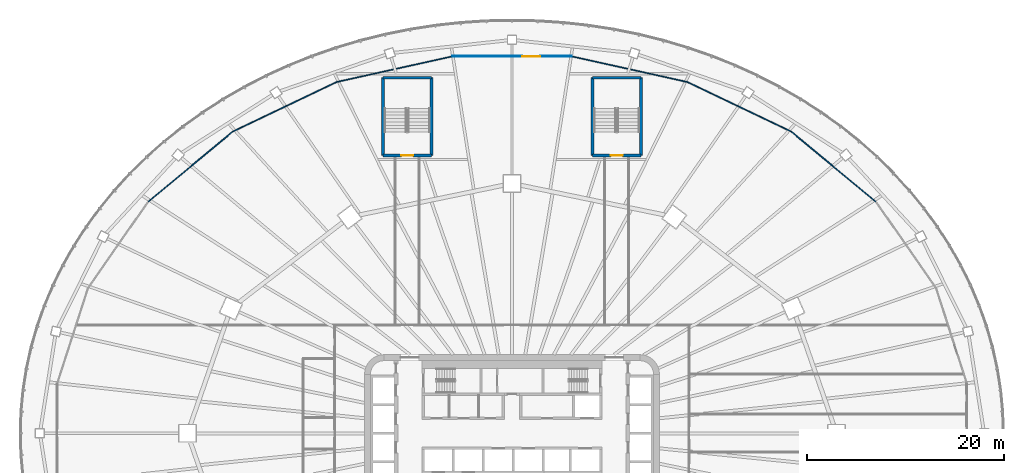
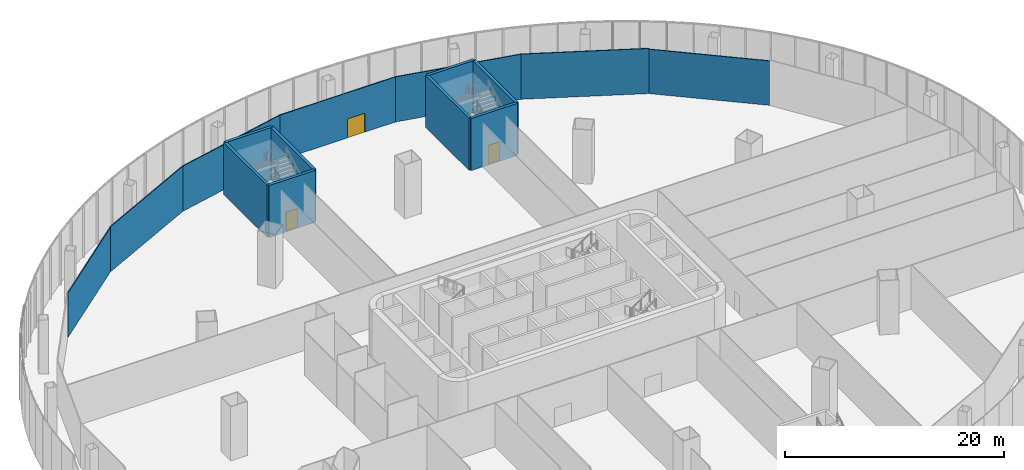
# One storey, part 26 of 37: 15 walls, 3 doors, 3 openings.
"""IFC4 building model written with IfcOpenShell, lengths in metres."""

import ifcopenshell
import ifcopenshell.guid

model = None  # the IFC model being written
_history = None  # IfcOwnerHistory: only IFC2X3 demands one
_inside = {}  # id of a spatial element -> (the spatial element, [elements in it])
_under = {}  # id of a project, library or spatial element -> (it, [spatial elements below it])
_declared = {}  # id of a project -> (the project, [libraries it declares])
_typed = {}  # id of a type object -> (the type object, [elements of that type])
_made_of = {}  # id of a material, layer set ... -> (it, [elements and type objects made of it])


def new_model(schema):
    """Start an empty IFC model of exactly this schema.

    Asked for "IFC4X3", IfcOpenShell would pick the latest addendum, in which some entities
    have other attributes; the version numbers below select the first issue.
    IFC2X3 requires an IfcOwnerHistory on every rooted entity: one is made here for all.
    """
    global model, _history
    if schema == "IFC4X3":
        model = ifcopenshell.file(schema_version=(4, 3, 0, 0))
    else:
        model = ifcopenshell.file(schema=schema)
    _inside.clear()
    _under.clear()
    _declared.clear()
    _typed.clear()
    _made_of.clear()
    _history = None
    if model.schema == "IFC2X3":
        org = make("IfcOrganization", Name="unknown")
        user = make(
            "IfcPersonAndOrganization",
            ThePerson=make("IfcPerson", FamilyName="unknown"),
            TheOrganization=org,
        )
        app = make(
            "IfcApplication",
            ApplicationDeveloper=org,
            Version="unknown",
            ApplicationFullName="unknown",
            ApplicationIdentifier="unknown",
        )
        _history = make(
            "IfcOwnerHistory",
            OwningUser=user,
            OwningApplication=app,
            ChangeAction="ADDED",
            CreationDate=0,
        )
    return model


def make(cls, **values):
    """One entity of the class cls with the attributes given. An attribute that is None is left unset."""
    return model.create_entity(
        cls, **{name: value for name, value in values.items() if value is not None}
    )


def rooted(cls, **values):
    """An entity with a GlobalId (a new one), such as an element, a storey or a relation."""
    return make(cls, GlobalId=ifcopenshell.guid.new(), OwnerHistory=_history, **values)


def si_unit(unit_type, name, prefix=None):
    """IfcSIUnit, for example si_unit("LENGTHUNIT", "METRE", prefix="MILLI")."""
    return make("IfcSIUnit", UnitType=unit_type, Prefix=prefix, Name=name)


def assignment(units):
    """IfcUnitAssignment: the units of a project."""
    return None if units is None else make("IfcUnitAssignment", Units=units)


def point(xyz):
    """IfcCartesianPoint."""
    return None if xyz is None else make("IfcCartesianPoint", Coordinates=xyz)


def direction(xyz):
    """IfcDirection."""
    return None if xyz is None else make("IfcDirection", DirectionRatios=xyz)


def frame(location, z_axis=None, x_axis=None):
    """IfcAxis2Placement3D, a coordinate frame: its origin and axes. An axis left out is left unset."""
    return make(
        "IfcAxis2Placement3D",
        Location=point(location),
        Axis=direction(z_axis),
        RefDirection=direction(x_axis),
    )


def frame_2d(location, x_axis=None):
    """IfcAxis2Placement2D, a coordinate frame in the plane: its origin and x axis."""
    return make(
        "IfcAxis2Placement2D", Location=point(location), RefDirection=direction(x_axis)
    )


def origin():
    """The frame at (0, 0, 0) with its axes left unset."""
    return frame((0.0, 0.0, 0.0))


def place(relative_to, where):
    """IfcLocalPlacement: puts the frame where relative to a parent placement (None: the world)."""
    return make(
        "IfcLocalPlacement", PlacementRelTo=relative_to, RelativePlacement=where
    )


def context(
    kind, dimensions, precision=None, world=None, true_north=None, identifier=None
):
    """IfcGeometricRepresentationContext, for example the 3D "Model" context."""
    return make(
        "IfcGeometricRepresentationContext",
        ContextIdentifier=identifier,
        ContextType=kind,
        CoordinateSpaceDimension=dimensions,
        Precision=precision,
        WorldCoordinateSystem=world,
        TrueNorth=true_north,
    )


def subcontext(parent, identifier, kind, view, scale=None):
    """IfcGeometricRepresentationSubContext, for example "Body" below "Model"."""
    return make(
        "IfcGeometricRepresentationSubContext",
        ContextIdentifier=identifier,
        ContextType=kind,
        ParentContext=parent,
        TargetScale=scale,
        TargetView=view,
    )


def project(units=None, contexts=None):
    """IfcProject with its units and contexts."""
    return rooted(
        "IfcProject",
        Name="project",
        RepresentationContexts=contexts,
        UnitsInContext=assignment(units),
    )


def spatial(cls, under=None, at=None, **own):
    """A site, building, storey or space (cls), placed at a placement, below another one or the project."""
    s = rooted(cls, ObjectPlacement=at, **own)
    if under is not None:
        _under.setdefault(under.id(), (under, []))[1].append(s)
    return s


def profile(cls, at=None, kind="AREA", **sizes):
    """A parametric profile (cls). Its sizes go by their IFC names, for example OverallWidth=200.0."""
    return make(cls, ProfileType=kind, Position=at, **sizes)


def rectangle(**sizes):
    """IfcRectangleProfileDef."""
    return profile("IfcRectangleProfileDef", **sizes)


def extrude(swept, where, along, depth):
    """IfcExtrudedAreaSolid: the profile swept, set in the frame where, extruded along a direction by depth."""
    return make(
        "IfcExtrudedAreaSolid",
        SweptArea=swept,
        Position=where,
        ExtrudedDirection=direction(along),
        Depth=depth,
    )


def shape(context_of_items, identifier, shape_type, items):
    """IfcShapeRepresentation: the items that make up one representation, for example the "Body"."""
    return make(
        "IfcShapeRepresentation",
        ContextOfItems=context_of_items,
        RepresentationIdentifier=identifier,
        RepresentationType=shape_type,
        Items=items,
    )


def material(Name=None, Category=None):
    """IfcMaterial."""
    return make("IfcMaterial", Name=Name, Category=Category)


def layer(
    of_material, thickness, ventilated=None, Name=None, Category=None, Priority=None
):
    """IfcMaterialLayer: one layer of a wall or slab, of a material (None: an air gap)."""
    return make(
        "IfcMaterialLayer",
        Material=of_material,
        LayerThickness=thickness,
        IsVentilated=ventilated,
        Name=Name,
        Category=Category,
        Priority=Priority,
    )


def layer_set(layers, Name=None):
    """IfcMaterialLayerSet."""
    return make("IfcMaterialLayerSet", MaterialLayers=layers, LayerSetName=Name)


def made_of(thing, what):
    """Note that an element or type object is made of a material, layer set ...; save() writes the relation."""
    if what is not None:
        _made_of.setdefault(what.id(), (what, []))[1].append(thing)
    return thing


def type_object(cls, material=None, **own):
    """A type object (cls), such as IfcWallType, which elements share."""
    return made_of(rooted(cls, **own), material)


def element(
    cls,
    number,
    at=None,
    inside=None,
    cuts=None,
    type_object=None,
    material=None,
    context=None,
    identifier="Body",
    shape_type=None,
    held_by="IfcProductDefinitionShape",
    body=None,
    shapes=None,
    **own,
):
    """One element of the class cls, such as IfcWall. Its Tag is "e" and its number.

    at: its placement. inside: the storey or other place that contains it. cuts: it is an
    opening in that element (IfcRelVoidsElement). A single representation is given by context,
    identifier, shape_type and body (its items); several are given by shapes. held_by: the class
    of the entity that holds the representations. save() writes the other relations.
    """
    e = rooted(cls, Tag="e%d" % number, ObjectPlacement=at, **own)
    if body is not None:
        shapes = [shape(context, identifier, shape_type, body)]
    if shapes is not None:
        e.Representation = make(held_by, Representations=shapes)
    if inside is not None:
        _inside.setdefault(inside.id(), (inside, []))[1].append(e)
    if cuts is not None:
        rooted(
            "IfcRelVoidsElement", RelatingBuildingElement=cuts, RelatedOpeningElement=e
        )
    if type_object is not None:
        _typed.setdefault(type_object.id(), (type_object, []))[1].append(e)
    return made_of(e, material)


def fill(opening, filler):
    """IfcRelFillsElement: the door or window that sits in an opening."""
    return rooted(
        "IfcRelFillsElement",
        RelatingOpeningElement=opening,
        RelatedBuildingElement=filler,
    )


def aggregate(whole, parts):
    """IfcRelAggregates: a whole, such as a stair, and the parts it consists of."""
    return rooted("IfcRelAggregates", RelatingObject=whole, RelatedObjects=parts)


def save(model, path):
    """Write the relations noted so far, then the file.

    IfcRelAggregates (storeys below a building ...), IfcRelContainedInSpatialStructure (elements
    in a storey), IfcRelDefinesByType, IfcRelAssociatesMaterial and IfcRelDeclares: one each for
    every whole, place, type object, material and project.
    """
    for whole, parts in _under.values():
        aggregate(whole, parts)
    for where, things in _inside.values():
        rooted(
            "IfcRelContainedInSpatialStructure",
            RelatedElements=things,
            RelatingStructure=where,
        )
    for kind, things in _typed.values():
        rooted("IfcRelDefinesByType", RelatedObjects=things, RelatingType=kind)
    for what, things in _made_of.values():
        rooted("IfcRelAssociatesMaterial", RelatedObjects=things, RelatingMaterial=what)
    for by, libraries in _declared.values():
        rooted("IfcRelDeclares", RelatingContext=by, RelatedDefinitions=libraries)
    model.write(path)


model = new_model("IFC4")

# Units and contexts
model_context = context("Model", 3, precision=1e-05, world=origin(), true_north=direction((0.0, 1.0)))
body_context = subcontext(model_context, "Body", "Model", "MODEL_VIEW")
ifc_project = project(units=[si_unit("LENGTHUNIT", "METRE"), si_unit("AREAUNIT", "SQUARE_METRE"), si_unit("VOLUMEUNIT", "CUBIC_METRE"), si_unit("PLANEANGLEUNIT", "RADIAN"), si_unit("MASSUNIT", "GRAM", prefix="KILO")], contexts=[model_context])

# Site, building, storey
site_placement = place(None, origin())
site = spatial("IfcSite", under=ifc_project, at=site_placement, CompositionType="ELEMENT")
building_placement = place(site_placement, origin())
building = spatial("IfcBuilding", under=site, at=building_placement, Name="Sahrelin Media Tower", CompositionType="ELEMENT")
storey_placement = place(building_placement, frame((0.0, 0.0, 31.39990234375)))
storey = spatial("IfcBuildingStorey", under=building, at=storey_placement, Name="L04", CompositionType="ELEMENT", Elevation=31.39990234375)

# Walls
ifc_material_1 = material(Name="Gypsum board partition")
ifc_layer_1 = layer(ifc_material_1, 0.10009765625)
ifc_layer_set_1 = layer_set([ifc_layer_1], Name="Partition 100")
wall_type_1 = type_object("IfcWallType", Name="Partition 100", PredefinedType="PARTITIONING", material=ifc_layer_set_1)
wall_1_placement = place(storey_placement, frame((37.010009765625, 23.528564453125, 0.0), z_axis=(0.0, 0.0, 1.0), x_axis=(-0.770046995363, 0.637987166746, 0.0)))
element("IfcWall", 1, at=wall_1_placement, inside=storey, type_object=wall_type_1, Name="Wall", PredefinedType="PARTITIONING", context=body_context, shape_type="SweptSolid", body=[
    extrude(rectangle(XDim=11.182861328125, YDim=0.10009765625, at=frame_2d((5.59130859375, 0.0))), origin(), (0.0, 0.0, 1.0), 4.945068359375),
])
wall_2_placement = place(storey_placement, frame((28.398681640625, 30.6630859375, 0.0), z_axis=(0.0, 0.0, 1.0), x_axis=(-0.902100999032, 0.431524955878, 0.0)))
element("IfcWall", 2, at=wall_2_placement, inside=storey, type_object=wall_type_1, Name="Wall", PredefinedType="PARTITIONING", context=body_context, shape_type="SweptSolid", body=[
    extrude(rectangle(XDim=11.69091796875, YDim=0.10009765625, at=frame_2d((5.845458984375, 0.0))), origin(), (0.0, 0.0, 1.0), 5.026123046875),
])
wall_3_placement = place(storey_placement, frame((17.852294921875, 35.7080078125, 0.0), z_axis=(0.0, 0.0, 1.0), x_axis=(-0.97623471049, 0.216715920124, 0.0)))
element("IfcWall", 3, at=wall_3_placement, inside=storey, type_object=wall_type_1, Name="Wall", PredefinedType="PARTITIONING", context=body_context, shape_type="SweptSolid", body=[
    extrude(rectangle(XDim=12.049560546875, YDim=0.10009765625, at=frame_2d((6.02490234375, 0.0))), origin(), (0.0, 0.0, 1.0), 5.026123046875),
])

# Wall, opening, door
wall_4_placement = place(storey_placement, frame((6.089111328125, 38.3193359375, 0.0), z_axis=(0.0, 0.0, 1.0), x_axis=(-1.0, 0.0, 0.0)))
wall_4 = element("IfcWall", 4, at=wall_4_placement, inside=storey, type_object=wall_type_1, Name="Wall", PredefinedType="PARTITIONING", context=body_context, shape_type="SweptSolid", body=[
    extrude(rectangle(XDim=12.17822265625, YDim=0.10009765625, at=frame_2d((6.089111328125, 0.0))), origin(), (0.0, 0.0, 1.0), 5.026123046875),
])
opening_1_placement = place(wall_4_placement, frame((3.23291015625, 0.0, 0.0)))
opening_1 = element("IfcOpeningElement", 5, at=opening_1_placement, cuts=wall_4, Name="Opening L04-D27", PredefinedType="OPENING", context=body_context, shape_type="SweptSolid", body=[
    extrude(rectangle(XDim=1.800048828125, YDim=2.10009765625, at=frame_2d((0.89990234375, 1.050048828125))), frame((0.0, 0.050048828125, 0.0), z_axis=(0.0, -1.0, 0.0), x_axis=(1.0, 0.0, 0.0)), (0.0, 0.0, 1.0), 0.10009765625),
])
ifc_material_2 = material(Name="Timber door leaf", Category="wood")
door_type_1 = type_object("IfcDoorType", Name="Double door 1800 x 2100", OperationType="DOUBLE_DOOR_SINGLE_SWING", PredefinedType="DOOR", material=ifc_material_2)
door_1_placement = place(opening_1_placement, origin())
door_1 = element("IfcDoor", 6, at=door_1_placement, inside=storey, type_object=door_type_1, Name="Double door", OperationType="DOUBLE_DOOR_SINGLE_SWING", OverallHeight=2.10009765625, OverallWidth=1.800048828125, PredefinedType="DOOR", context=body_context, shape_type="SweptSolid", body=[
    extrude(rectangle(XDim=1.800048828125, YDim=2.10009765625, at=frame_2d((0.89990234375, 1.050048828125))), frame((0.0, 0.02490234375, 0.0), z_axis=(0.0, -1.0, 0.0), x_axis=(1.0, 0.0, 0.0)), (0.0, 0.0, 1.0), 0.050048828125),
])
fill(opening_1, door_1)

# Walls
wall_5_placement = place(storey_placement, frame((-6.089111328125, 38.3193359375, 0.0), z_axis=(0.0, 0.0, 1.0), x_axis=(-0.97623471049, -0.216715920124, 0.0)))
element("IfcWall", 7, at=wall_5_placement, inside=storey, type_object=wall_type_1, Name="Wall", PredefinedType="PARTITIONING", context=body_context, shape_type="SweptSolid", body=[
    extrude(rectangle(XDim=12.049560546875, YDim=0.10009765625, at=frame_2d((6.02490234375, 0.0))), origin(), (0.0, 0.0, 1.0), 5.026123046875),
])
wall_6_placement = place(storey_placement, frame((-17.852294921875, 35.7080078125, 0.0), z_axis=(0.0, 0.0, 1.0), x_axis=(-0.902100999032, -0.431524955878, 0.0)))
element("IfcWall", 8, at=wall_6_placement, inside=storey, type_object=wall_type_1, Name="Wall", PredefinedType="PARTITIONING", context=body_context, shape_type="SweptSolid", body=[
    extrude(rectangle(XDim=11.69091796875, YDim=0.10009765625, at=frame_2d((5.845458984375, 0.0))), origin(), (0.0, 0.0, 1.0), 5.026123046875),
])
wall_7_placement = place(storey_placement, frame((-28.398681640625, 30.6630859375, 0.0), z_axis=(0.0, 0.0, 1.0), x_axis=(-0.770046995363, -0.637987166746, 0.0)))
element("IfcWall", 9, at=wall_7_placement, inside=storey, type_object=wall_type_1, Name="Wall", PredefinedType="PARTITIONING", context=body_context, shape_type="SweptSolid", body=[
    extrude(rectangle(XDim=11.182861328125, YDim=0.10009765625, at=frame_2d((5.59130859375, 0.0))), origin(), (0.0, 0.0, 1.0), 4.945068359375),
])

# Wall, opening, door
ifc_material_3 = material(Name="Concrete C60/75", Category="concrete")
ifc_layer_2 = layer(ifc_material_3, 0.300048828125)
ifc_layer_set_2 = layer_set([ifc_layer_2], Name="Stair enclosure wall 300")
wall_type_2 = type_object("IfcWallType", Name="Stair enclosure wall 300", PredefinedType="SOLIDWALL", material=ifc_layer_set_2)
wall_8_placement = place(storey_placement, frame((13.10009765625, 28.25, 0.0), z_axis=(0.0, 0.0, 1.0), x_axis=(-1.0, 0.0, 0.0)))
wall_8 = element("IfcWall", 10, at=wall_8_placement, inside=storey, type_object=wall_type_2, Name="Stair PS1", PredefinedType="SOLIDWALL", context=body_context, shape_type="SweptSolid", body=[
    extrude(rectangle(XDim=4.900146484375, YDim=0.300048828125, at=frame_2d((2.4501953125, 0.0))), origin(), (0.0, 0.0, 1.0), 5.800048828125),
])
opening_2_placement = place(wall_8_placement, frame((1.85009765625, 0.0, 0.0)))
opening_2 = element("IfcOpeningElement", 11, at=opening_2_placement, cuts=wall_8, Name="Opening L04-D49", PredefinedType="OPENING", context=body_context, shape_type="SweptSolid", body=[
    extrude(rectangle(XDim=1.199951171875, YDim=2.10009765625, at=frame_2d((0.60009765625, 1.050048828125))), frame((0.0, 0.14990234375, 0.0), z_axis=(0.0, -1.0, 0.0), x_axis=(1.0, 0.0, 0.0)), (0.0, 0.0, 1.0), 0.300048828125),
])
ifc_material_4 = material(Name="Steel fire door leaf", Category="steel")
door_type_2 = type_object("IfcDoorType", Name="Stair door 1200 x 2100 EI 120", OperationType="NOTDEFINED", PredefinedType="DOOR", material=ifc_material_4)
door_2_placement = place(opening_2_placement, origin())
door_2 = element("IfcDoor", 12, at=door_2_placement, inside=storey, type_object=door_type_2, Name="Stair door", OperationType="SINGLE_SWING_RIGHT", OverallHeight=2.10009765625, OverallWidth=1.199951171875, PredefinedType="DOOR", context=body_context, shape_type="SweptSolid", body=[
    extrude(rectangle(XDim=1.199951171875, YDim=2.10009765625, at=frame_2d((0.60009765625, 1.050048828125))), frame((0.0, 0.02490234375, 0.0), z_axis=(0.0, -1.0, 0.0), x_axis=(1.0, 0.0, 0.0)), (0.0, 0.0, 1.0), 0.050048828125),
])
fill(opening_2, door_2)

# Walls
wall_9_placement = place(storey_placement, frame((8.199951171875, 28.25, 0.0), z_axis=(0.0, 0.0, 1.0), x_axis=(0.0, 1.0, 0.0)))
element("IfcWall", 13, at=wall_9_placement, inside=storey, type_object=wall_type_2, Name="Stair PS1", PredefinedType="SOLIDWALL", context=body_context, shape_type="SweptSolid", body=[
    extrude(rectangle(XDim=7.89990234375, YDim=0.300048828125, at=frame_2d((3.949951171875, 0.0))), origin(), (0.0, 0.0, 1.0), 5.800048828125),
])
wall_10_placement = place(storey_placement, frame((8.199951171875, 36.14990234375, 0.0), z_axis=(0.0, 0.0, 1.0), x_axis=(1.0, 0.0, 0.0)))
element("IfcWall", 14, at=wall_10_placement, inside=storey, type_object=wall_type_2, Name="Stair PS1", PredefinedType="SOLIDWALL", context=body_context, shape_type="SweptSolid", body=[
    extrude(rectangle(XDim=4.900146484375, YDim=0.300048828125, at=frame_2d((2.4501953125, 0.0))), origin(), (0.0, 0.0, 1.0), 5.800048828125),
])
wall_11_placement = place(storey_placement, frame((13.10009765625, 36.14990234375, 0.0), z_axis=(0.0, 0.0, 1.0), x_axis=(0.0, -1.0, 0.0)))
element("IfcWall", 15, at=wall_11_placement, inside=storey, type_object=wall_type_2, Name="Stair PS1", PredefinedType="SOLIDWALL", context=body_context, shape_type="SweptSolid", body=[
    extrude(rectangle(XDim=7.89990234375, YDim=0.300048828125, at=frame_2d((3.949951171875, 0.0))), origin(), (0.0, 0.0, 1.0), 5.800048828125),
])

# Wall, opening, door
wall_12_placement = place(storey_placement, frame((-8.199951171875, 28.25, 0.0), z_axis=(0.0, 0.0, 1.0), x_axis=(-1.0, 0.0, 0.0)))
wall_12 = element("IfcWall", 16, at=wall_12_placement, inside=storey, type_object=wall_type_2, Name="Stair PS2", PredefinedType="SOLIDWALL", context=body_context, shape_type="SweptSolid", body=[
    extrude(rectangle(XDim=4.900146484375, YDim=0.300048828125, at=frame_2d((2.4501953125, 0.0))), origin(), (0.0, 0.0, 1.0), 5.800048828125),
])
opening_3_placement = place(wall_12_placement, frame((1.85009765625, 0.0, 0.0)))
opening_3 = element("IfcOpeningElement", 17, at=opening_3_placement, cuts=wall_12, Name="Opening L04-D50", PredefinedType="OPENING", context=body_context, shape_type="SweptSolid", body=[
    extrude(rectangle(XDim=1.199951171875, YDim=2.10009765625, at=frame_2d((0.60009765625, 1.050048828125))), frame((0.0, 0.14990234375, 0.0), z_axis=(0.0, -1.0, 0.0), x_axis=(1.0, 0.0, 0.0)), (0.0, 0.0, 1.0), 0.300048828125),
])
door_3_placement = place(opening_3_placement, origin())
door_3 = element("IfcDoor", 18, at=door_3_placement, inside=storey, type_object=door_type_2, Name="Stair door", OperationType="SINGLE_SWING_RIGHT", OverallHeight=2.10009765625, OverallWidth=1.199951171875, PredefinedType="DOOR", context=body_context, shape_type="SweptSolid", body=[
    extrude(rectangle(XDim=1.199951171875, YDim=2.10009765625, at=frame_2d((0.60009765625, 1.050048828125))), frame((0.0, 0.02490234375, 0.0), z_axis=(0.0, -1.0, 0.0), x_axis=(1.0, 0.0, 0.0)), (0.0, 0.0, 1.0), 0.050048828125),
])
fill(opening_3, door_3)

# Walls
wall_13_placement = place(storey_placement, frame((-13.10009765625, 28.25, 0.0), z_axis=(0.0, 0.0, 1.0), x_axis=(0.0, 1.0, 0.0)))
element("IfcWall", 19, at=wall_13_placement, inside=storey, type_object=wall_type_2, Name="Stair PS2", PredefinedType="SOLIDWALL", context=body_context, shape_type="SweptSolid", body=[
    extrude(rectangle(XDim=7.89990234375, YDim=0.300048828125, at=frame_2d((3.949951171875, 0.0))), origin(), (0.0, 0.0, 1.0), 5.800048828125),
])
wall_14_placement = place(storey_placement, frame((-13.10009765625, 36.14990234375, 0.0), z_axis=(0.0, 0.0, 1.0), x_axis=(1.0, 0.0, 0.0)))
element("IfcWall", 20, at=wall_14_placement, inside=storey, type_object=wall_type_2, Name="Stair PS2", PredefinedType="SOLIDWALL", context=body_context, shape_type="SweptSolid", body=[
    extrude(rectangle(XDim=4.900146484375, YDim=0.300048828125, at=frame_2d((2.4501953125, 0.0))), origin(), (0.0, 0.0, 1.0), 5.800048828125),
])
wall_15_placement = place(storey_placement, frame((-8.199951171875, 36.14990234375, 0.0), z_axis=(0.0, 0.0, 1.0), x_axis=(0.0, -1.0, 0.0)))
element("IfcWall", 21, at=wall_15_placement, inside=storey, type_object=wall_type_2, Name="Stair PS2", PredefinedType="SOLIDWALL", context=body_context, shape_type="SweptSolid", body=[
    extrude(rectangle(XDim=7.89990234375, YDim=0.300048828125, at=frame_2d((3.949951171875, 0.0))), origin(), (0.0, 0.0, 1.0), 5.800048828125),
])

save(model, "model.ifc")
